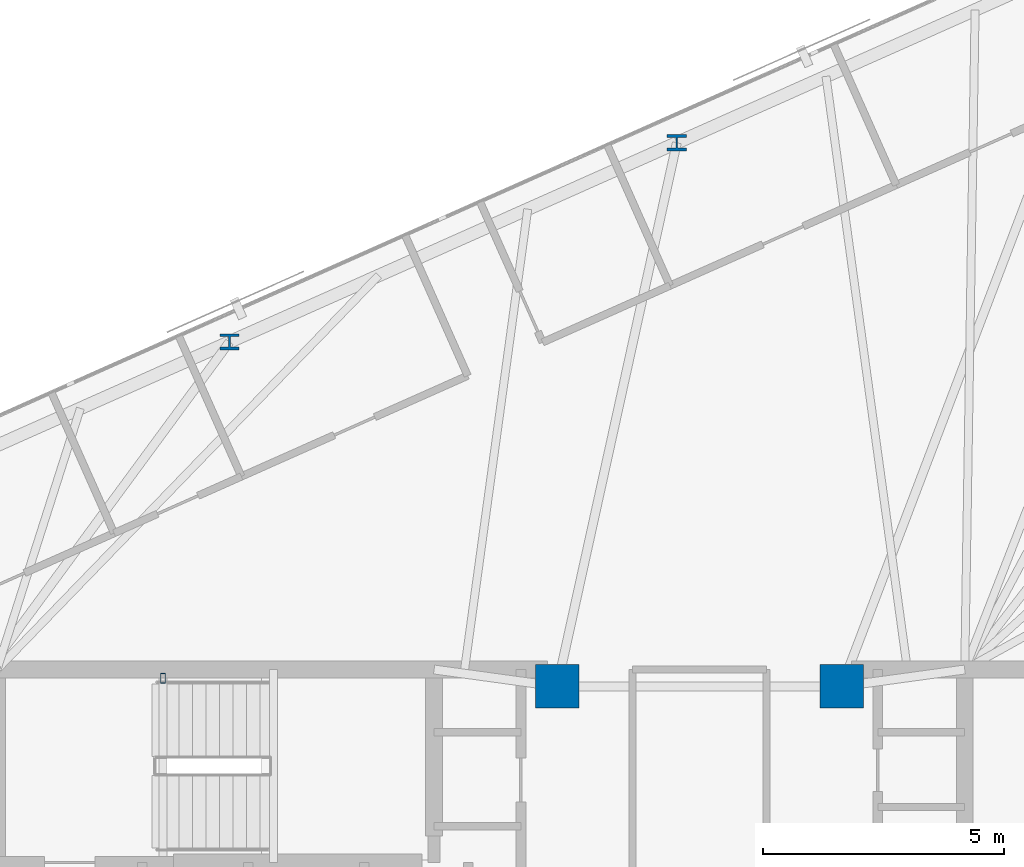
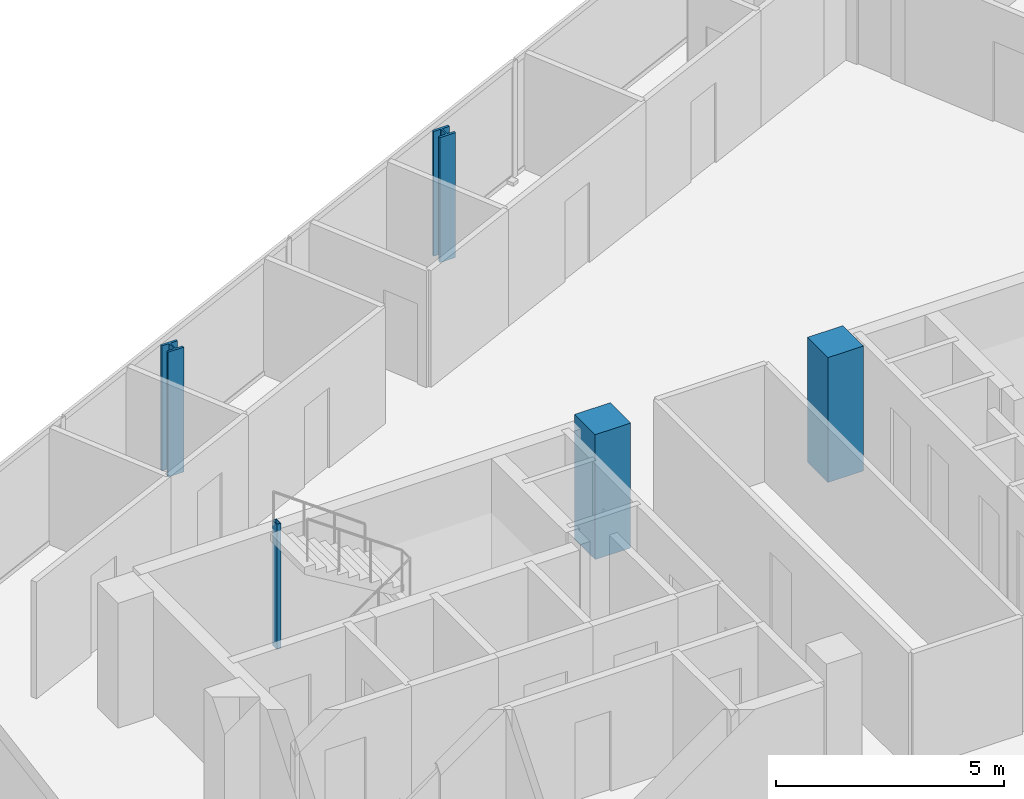
# One storey, part 2 of 18: 5 columns.
"""IFC4 building model written with IfcOpenShell, lengths in metres."""

from ifc_helpers import new_model, si_unit, direction, frame, origin, origin_2d, place, context, subcontext, project, spatial, rectangle, hollow_rectangle, i_section, extrude, material, material_profile, profile_set, type_object, element, save


model = new_model("IFC4")

# Units and contexts
model_context = context("Model", 3, precision=1e-05, world=origin(), true_north=direction((0.0, 1.0)))
body_context = subcontext(model_context, "Body", "Model", "MODEL_VIEW")
ifc_project = project(units=[si_unit("LENGTHUNIT", "METRE"), si_unit("AREAUNIT", "SQUARE_METRE"), si_unit("VOLUMEUNIT", "CUBIC_METRE"), si_unit("PLANEANGLEUNIT", "RADIAN"), si_unit("MASSUNIT", "GRAM", prefix="KILO")], contexts=[model_context])

# Site, building, storey
site_placement = place(None, origin())
site = spatial("IfcSite", under=ifc_project, at=site_placement, CompositionType="ELEMENT")
building_placement = place(site_placement, origin())
building = spatial("IfcBuilding", under=site, at=building_placement, Name="Menara Jurai Vektor", CompositionType="ELEMENT")
storey_placement = place(building_placement, frame((0.0, 0.0, 298.64990234375)))
storey = spatial("IfcBuildingStorey", under=building, at=storey_placement, Name="L80", CompositionType="ELEMENT", Elevation=298.64990234375)

# Columns
ifc_material_1 = material(Name="Concrete C50/60", Category="concrete")
ifc_material_profile_1 = material_profile(ifc_material_1, rectangle(XDim=0.89990234375, YDim=0.89990234375, at=origin_2d()), Name="RC 900x900")
ifc_profile_set_1 = profile_set([ifc_material_profile_1], Name="Concrete C50/60")
column_type_1 = type_object("IfcColumnType", Name="STR-COL-RC900", PredefinedType="COLUMN", material=ifc_profile_set_1)
for number, where, z_axis, x_axis, name in (
    (1, (-2.949951171875, 5.25, 0.0), (0.0, 0.0, 1.0), (1.0, 0.0, 0.0), "Core Spine Column CW-NE L80"),
    (2, (2.949951171875, 5.25, 0.0), (0.0, 0.0, 1.0), (1.0, 0.0, 0.0), "Core Spine Column CE-NW L80"),
):
    element("IfcColumn", number, at=place(storey_placement, frame(where, z_axis=z_axis, x_axis=x_axis)), inside=storey, type_object=column_type_1, Name=name, PredefinedType="COLUMN", context=body_context, shape_type="SweptSolid", body=[
        extrude(rectangle(XDim=0.89990234375, YDim=0.89990234375, at=origin_2d()), origin(), (0.0, 0.0, 1.0), 3.35009765625),
    ])
ifc_material_2 = material(Name="Steel S355", Category="steel")
ifc_material_profile_2 = material_profile(ifc_material_2, hollow_rectangle(XDim=0.10009765625, YDim=0.199951171875, WallThickness=0.008056640625, at=origin_2d()), Name="RHS 200x100x8")
ifc_profile_set_2 = profile_set([ifc_material_profile_2], Name="Steel S355")
column_type_2 = type_object("IfcColumnType", Name="STR-COL-STAIR", PredefinedType="COLUMN", material=ifc_profile_set_2)
column_placement = place(storey_placement, frame((-11.1201171875, 5.419921875, 0.0), z_axis=(0.0, 0.0, 1.0), x_axis=(1.0, 0.0, 0.0)))
element("IfcColumn", 3, at=column_placement, inside=storey, type_object=column_type_2, Name="Stair Well Header Column ST1-P2 L80", PredefinedType="COLUMN", context=body_context, shape_type="SweptSolid", body=[
    extrude(hollow_rectangle(XDim=0.10009765625, YDim=0.199951171875, WallThickness=0.008056640625, at=origin_2d()), origin(), (0.0, 0.0, 1.0), 3.35009765625),
])
ifc_material_3 = material(Name="Steel S460", Category="steel")
ifc_material_profile_3 = material_profile(ifc_material_3, i_section(OverallWidth=0.40087890625, OverallDepth=0.3349609375, WebThickness=0.035888671875, FlangeThickness=0.05810546875, FilletRadius=0.014892578125, at=origin_2d()), Name="HD 400x463")
ifc_profile_set_3 = profile_set([ifc_material_profile_3], Name="Steel S460")
column_type_3 = type_object("IfcColumnType", Name="STR-EXO-BLK5", PredefinedType="COLUMN", material=ifc_profile_set_3)
for number, where, z_axis, x_axis, name in (
    (4, (-0.467529296875, 16.519287109375, 0.0), (0.0, 0.0, 1.0), (1.0, 0.0, 0.0), "Exoskeleton Column BLK5-N3 L80"),
    (5, (-9.740966796875, 12.390380859375, 0.0), (0.0, 0.0, 1.0), (1.0, 0.0, 0.0), "Exoskeleton Column BLK5-N4 L80"),
):
    element("IfcColumn", number, at=place(storey_placement, frame(where, z_axis=z_axis, x_axis=x_axis)), inside=storey, type_object=column_type_3, Name=name, PredefinedType="COLUMN", context=body_context, shape_type="SweptSolid", body=[
        extrude(i_section(OverallWidth=0.40087890625, OverallDepth=0.3349609375, WebThickness=0.035888671875, FlangeThickness=0.05810546875, FilletRadius=0.014892578125, at=origin_2d()), origin(), (0.0, 0.0, 1.0), 3.35009765625),
    ])

save(model, "model.ifc")
